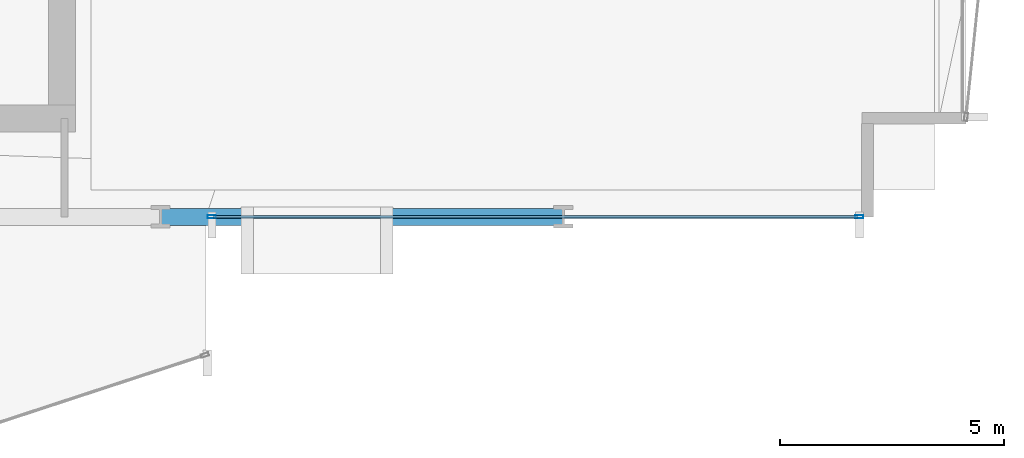
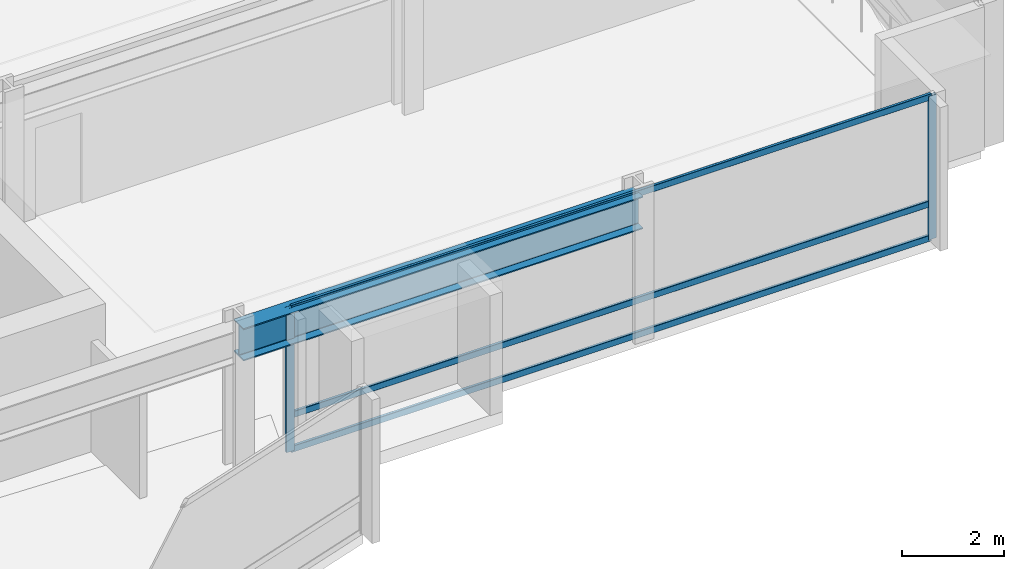
# One storey, part 12 of 34: 5 members, 1 beam, 1 element without a shape of its own.
"""IFC4 building model written with IfcOpenShell, lengths in metres."""

from ifc_helpers import new_model, si_unit, direction, frame, origin, origin_2d, place, context, subcontext, project, spatial, hollow_rectangle, i_section, extrude, material, layer, layer_set, material_profile, profile_set, type_object, element, aggregate, save


model = new_model("IFC4")

# Units and contexts
model_context = context("Model", 3, precision=1e-05, world=origin(), true_north=direction((0.0, 1.0)))
body_context = subcontext(model_context, "Body", "Model", "MODEL_VIEW")
ifc_project = project(units=[si_unit("LENGTHUNIT", "METRE"), si_unit("AREAUNIT", "SQUARE_METRE"), si_unit("VOLUMEUNIT", "CUBIC_METRE"), si_unit("PLANEANGLEUNIT", "RADIAN"), si_unit("MASSUNIT", "GRAM", prefix="KILO")], contexts=[model_context])

# Site, building, storey
site_placement = place(None, origin())
site = spatial("IfcSite", under=ifc_project, at=site_placement, CompositionType="ELEMENT")
building_placement = place(site_placement, origin())
building = spatial("IfcBuilding", under=site, at=building_placement, Name="Solvaryn Broadcast Tower", CompositionType="ELEMENT")
storey_placement = place(building_placement, frame((0.0, 0.0, 61.89990234375)))
storey = spatial("IfcBuildingStorey", under=building, at=storey_placement, Name="L14", CompositionType="ELEMENT", Elevation=61.89990234375)

# Beam
ifc_material_1 = material(Name="Steel ASTM A992 Grade 50", Category="steel")
ifc_material_profile_1 = material_profile(ifc_material_1, i_section(OverallWidth=0.381103515625, OverallDepth=0.77294921875, WebThickness=0.0166015625, FlangeThickness=0.027099609375, FilletRadius=0.01806640625, at=origin_2d()))
ifc_profile_set_1 = profile_set([ifc_material_profile_1], Name="Steel ASTM A992 Grade 50")
beam_type = type_object("IfcBeamType", Name="BM-SP1-W30X173", PredefinedType="USERDEFINED", material=ifc_profile_set_1)
beam_placement = place(storey_placement, frame((45.0, 9.0, 3.03369140625), z_axis=(1.0, 0.0, 0.0), x_axis=(0.0, 1.0, 0.0)))
element("IfcBeam", 1, at=beam_placement, inside=storey, type_object=beam_type, Name="L14 Spandrel Beam X (45-54 @ Y=9)", ObjectType="SPANDREL", PredefinedType="USERDEFINED", context=body_context, shape_type="SweptSolid", body=[
    extrude(i_section(OverallWidth=0.381103515625, OverallDepth=0.77294921875, WebThickness=0.0166015625, FlangeThickness=0.027099609375, FilletRadius=0.01806640625, at=origin_2d()), origin(), (0.0, 0.0, 1.0), 9.0),
])

# Curtain wall, members
ifc_material_2 = material(Name="Aluminium and Terracotta Unitised Curtain Wall", Category="masonry")
ifc_layer = layer(ifc_material_2, 0.199951171875)
ifc_layer_set = layer_set([ifc_layer], Name="CW-SYS2-LOWMID")
curtain_wall_type = type_object("IfcCurtainWallType", Name="CW-SYS2-LOWMID", PredefinedType="NOTDEFINED", material=ifc_layer_set)
curtain_wall_placement = place(storey_placement, origin())
curtain_wall = element("IfcCurtainWall", 2, at=curtain_wall_placement, inside=storey, type_object=curtain_wall_type, Name="L14 Curtain Wall S2", PredefinedType="NOTDEFINED")
ifc_material_3 = material(Name="Anodised Aluminium 6063-T6", Category="aluminium")
ifc_material_profile_2 = material_profile(ifc_material_3, hollow_rectangle(XDim=0.074951171875, YDim=0.179931640625, WallThickness=0.00390625, InnerFilletRadius=0.00390625, OuterFilletRadius=0.008056640625, at=origin_2d()))
ifc_profile_set_2 = profile_set([ifc_material_profile_2], Name="Anodised Aluminium 6063-T6")
member_type_1 = type_object("IfcMemberType", Name="CW-MUL-180", PredefinedType="MULLION", material=ifc_profile_set_2)
member_1_placement = place(storey_placement, frame((46.14599609375, 9.0, 0.0), z_axis=(0.0, 0.0, 1.0), x_axis=(0.0, 1.0, 0.0)))
member_1 = element("IfcMember", 3, at=member_1_placement, type_object=member_type_1, Name="CWS2 mullion 1", PredefinedType="MULLION", context=body_context, shape_type="SweptSolid", body=[
    extrude(hollow_rectangle(XDim=0.074951171875, YDim=0.179931640625, WallThickness=0.00390625, InnerFilletRadius=0.00390625, OuterFilletRadius=0.008056640625, at=origin_2d()), origin(), (0.0, 0.0, 1.0), 3.420166015625),
])
member_2_placement = place(storey_placement, frame((60.6201171875, 9.0, 0.0), z_axis=(0.0, 0.0, 1.0), x_axis=(0.0, 1.0, 0.0)))
member_2 = element("IfcMember", 4, at=member_2_placement, type_object=member_type_1, Name="CWS2 mullion 2", PredefinedType="MULLION", context=body_context, shape_type="SweptSolid", body=[
    extrude(hollow_rectangle(XDim=0.074951171875, YDim=0.179931640625, WallThickness=0.00390625, InnerFilletRadius=0.00390625, OuterFilletRadius=0.008056640625, at=origin_2d()), origin(), (0.0, 0.0, 1.0), 3.420166015625),
])
ifc_material_4 = material(Name="Anodised Aluminium 6063-T6", Category="aluminium")
ifc_material_profile_3 = material_profile(ifc_material_4, hollow_rectangle(XDim=0.06494140625, YDim=0.14990234375, WallThickness=0.00390625, InnerFilletRadius=0.00390625, OuterFilletRadius=0.008056640625, at=origin_2d()))
ifc_profile_set_3 = profile_set([ifc_material_profile_3], Name="Anodised Aluminium 6063-T6")
member_type_2 = type_object("IfcMemberType", Name="CW-TRN-150", PredefinedType="USERDEFINED", material=ifc_profile_set_3)
member_3_placement = place(storey_placement, frame((46.176025390625, 9.0, 0.030029296875), z_axis=(1.0, 0.0, 0.0), x_axis=(0.0, 1.0, 0.0)))
member_3 = element("IfcMember", 5, at=member_3_placement, type_object=member_type_2, Name="CWS2 transom 1.1", ObjectType="TRANSOM", PredefinedType="USERDEFINED", context=body_context, shape_type="SweptSolid", body=[
    extrude(hollow_rectangle(XDim=0.06494140625, YDim=0.14990234375, WallThickness=0.00390625, InnerFilletRadius=0.00390625, OuterFilletRadius=0.008056640625, at=origin_2d()), origin(), (0.0, 0.0, 1.0), 14.4140625),
])
member_4_placement = place(storey_placement, frame((46.176025390625, 9.0, 0.85009765625), z_axis=(1.0, 0.0, 0.0), x_axis=(0.0, 1.0, 0.0)))
member_4 = element("IfcMember", 6, at=member_4_placement, type_object=member_type_2, Name="CWS2 transom 1.2", ObjectType="TRANSOM", PredefinedType="USERDEFINED", context=body_context, shape_type="SweptSolid", body=[
    extrude(hollow_rectangle(XDim=0.06494140625, YDim=0.14990234375, WallThickness=0.00390625, InnerFilletRadius=0.00390625, OuterFilletRadius=0.008056640625, at=origin_2d()), origin(), (0.0, 0.0, 1.0), 14.4140625),
])
member_5_placement = place(storey_placement, frame((46.176025390625, 9.0, 3.39013671875), z_axis=(1.0, 0.0, 0.0), x_axis=(0.0, 1.0, 0.0)))
member_5 = element("IfcMember", 7, at=member_5_placement, type_object=member_type_2, Name="CWS2 transom 1.3", ObjectType="TRANSOM", PredefinedType="USERDEFINED", context=body_context, shape_type="SweptSolid", body=[
    extrude(hollow_rectangle(XDim=0.06494140625, YDim=0.14990234375, WallThickness=0.00390625, InnerFilletRadius=0.00390625, OuterFilletRadius=0.008056640625, at=origin_2d()), origin(), (0.0, 0.0, 1.0), 14.4140625),
])
aggregate(curtain_wall, [member_1, member_2, member_3, member_4, member_5])

save(model, "model.ifc")
